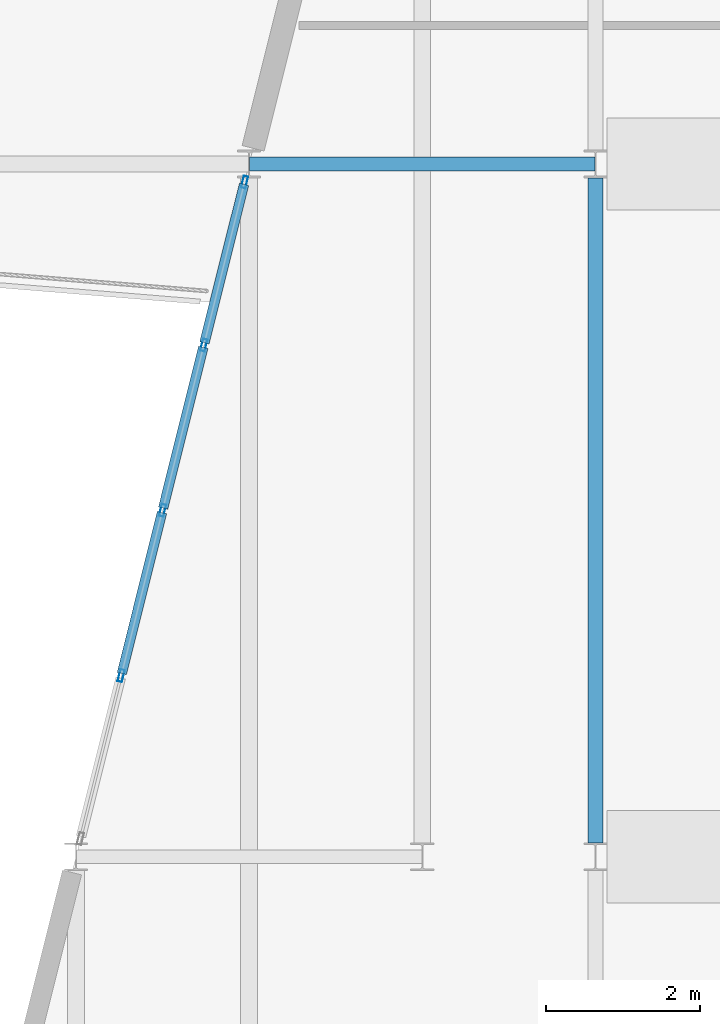
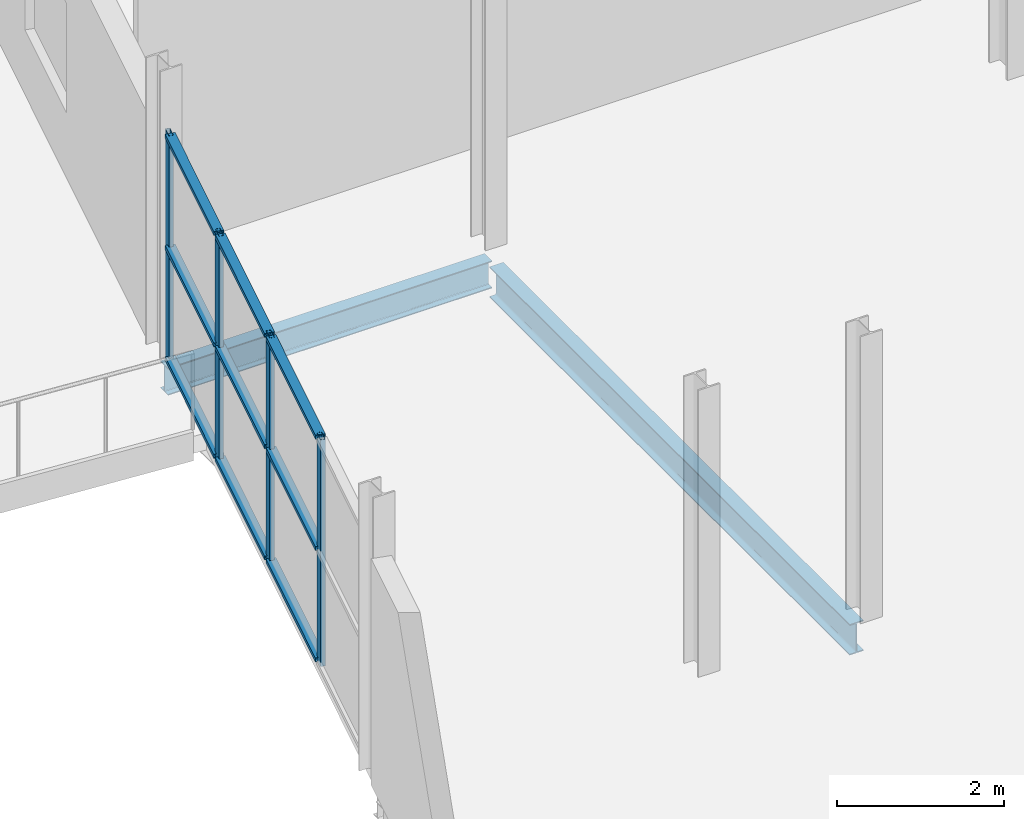
# One storey, part 90 of 135: 13 members, 2 beams, 1 element without a shape of its own.
"""IFC4 building model written with IfcOpenShell, lengths in metres."""

import ifcopenshell
import ifcopenshell.guid

model = None  # the IFC model being written
_history = None  # IfcOwnerHistory: only IFC2X3 demands one
_inside = {}  # id of a spatial element -> (the spatial element, [elements in it])
_under = {}  # id of a project, library or spatial element -> (it, [spatial elements below it])
_declared = {}  # id of a project -> (the project, [libraries it declares])
_typed = {}  # id of a type object -> (the type object, [elements of that type])
_made_of = {}  # id of a material, layer set ... -> (it, [elements and type objects made of it])


def new_model(schema):
    """Start an empty IFC model of exactly this schema.

    Asked for "IFC4X3", IfcOpenShell would pick the latest addendum, in which some entities
    have other attributes; the version numbers below select the first issue.
    IFC2X3 requires an IfcOwnerHistory on every rooted entity: one is made here for all.
    """
    global model, _history
    if schema == "IFC4X3":
        model = ifcopenshell.file(schema_version=(4, 3, 0, 0))
    else:
        model = ifcopenshell.file(schema=schema)
    _inside.clear()
    _under.clear()
    _declared.clear()
    _typed.clear()
    _made_of.clear()
    _history = None
    if model.schema == "IFC2X3":
        org = make("IfcOrganization", Name="unknown")
        user = make(
            "IfcPersonAndOrganization",
            ThePerson=make("IfcPerson", FamilyName="unknown"),
            TheOrganization=org,
        )
        app = make(
            "IfcApplication",
            ApplicationDeveloper=org,
            Version="unknown",
            ApplicationFullName="unknown",
            ApplicationIdentifier="unknown",
        )
        _history = make(
            "IfcOwnerHistory",
            OwningUser=user,
            OwningApplication=app,
            ChangeAction="ADDED",
            CreationDate=0,
        )
    return model


def make(cls, **values):
    """One entity of the class cls with the attributes given. An attribute that is None is left unset."""
    return model.create_entity(
        cls, **{name: value for name, value in values.items() if value is not None}
    )


def rooted(cls, **values):
    """An entity with a GlobalId (a new one), such as an element, a storey or a relation."""
    return make(cls, GlobalId=ifcopenshell.guid.new(), OwnerHistory=_history, **values)


def si_unit(unit_type, name, prefix=None):
    """IfcSIUnit, for example si_unit("LENGTHUNIT", "METRE", prefix="MILLI")."""
    return make("IfcSIUnit", UnitType=unit_type, Prefix=prefix, Name=name)


def assignment(units):
    """IfcUnitAssignment: the units of a project."""
    return None if units is None else make("IfcUnitAssignment", Units=units)


def point(xyz):
    """IfcCartesianPoint."""
    return None if xyz is None else make("IfcCartesianPoint", Coordinates=xyz)


def direction(xyz):
    """IfcDirection."""
    return None if xyz is None else make("IfcDirection", DirectionRatios=xyz)


def frame(location, z_axis=None, x_axis=None):
    """IfcAxis2Placement3D, a coordinate frame: its origin and axes. An axis left out is left unset."""
    return make(
        "IfcAxis2Placement3D",
        Location=point(location),
        Axis=direction(z_axis),
        RefDirection=direction(x_axis),
    )


def frame_2d(location, x_axis=None):
    """IfcAxis2Placement2D, a coordinate frame in the plane: its origin and x axis."""
    return make(
        "IfcAxis2Placement2D", Location=point(location), RefDirection=direction(x_axis)
    )


def origin():
    """The frame at (0, 0, 0) with its axes left unset."""
    return frame((0.0, 0.0, 0.0))


def origin_2d():
    """The frame at (0, 0) in the plane with its x axis left unset."""
    return frame_2d((0.0, 0.0))


def place(relative_to, where):
    """IfcLocalPlacement: puts the frame where relative to a parent placement (None: the world)."""
    return make(
        "IfcLocalPlacement", PlacementRelTo=relative_to, RelativePlacement=where
    )


def context(
    kind, dimensions, precision=None, world=None, true_north=None, identifier=None
):
    """IfcGeometricRepresentationContext, for example the 3D "Model" context."""
    return make(
        "IfcGeometricRepresentationContext",
        ContextIdentifier=identifier,
        ContextType=kind,
        CoordinateSpaceDimension=dimensions,
        Precision=precision,
        WorldCoordinateSystem=world,
        TrueNorth=true_north,
    )


def subcontext(parent, identifier, kind, view, scale=None):
    """IfcGeometricRepresentationSubContext, for example "Body" below "Model"."""
    return make(
        "IfcGeometricRepresentationSubContext",
        ContextIdentifier=identifier,
        ContextType=kind,
        ParentContext=parent,
        TargetScale=scale,
        TargetView=view,
    )


def project(units=None, contexts=None):
    """IfcProject with its units and contexts."""
    return rooted(
        "IfcProject",
        Name="project",
        RepresentationContexts=contexts,
        UnitsInContext=assignment(units),
    )


def spatial(cls, under=None, at=None, **own):
    """A site, building, storey or space (cls), placed at a placement, below another one or the project."""
    s = rooted(cls, ObjectPlacement=at, **own)
    if under is not None:
        _under.setdefault(under.id(), (under, []))[1].append(s)
    return s


def profile(cls, at=None, kind="AREA", **sizes):
    """A parametric profile (cls). Its sizes go by their IFC names, for example OverallWidth=200.0."""
    return make(cls, ProfileType=kind, Position=at, **sizes)


def hollow_rectangle(**sizes):
    """IfcRectangleHollowProfileDef."""
    return profile("IfcRectangleHollowProfileDef", **sizes)


def i_section(**sizes):
    """IfcIShapeProfileDef."""
    return profile("IfcIShapeProfileDef", **sizes)


def extrude(swept, where, along, depth):
    """IfcExtrudedAreaSolid: the profile swept, set in the frame where, extruded along a direction by depth."""
    return make(
        "IfcExtrudedAreaSolid",
        SweptArea=swept,
        Position=where,
        ExtrudedDirection=direction(along),
        Depth=depth,
    )


def shape(context_of_items, identifier, shape_type, items):
    """IfcShapeRepresentation: the items that make up one representation, for example the "Body"."""
    return make(
        "IfcShapeRepresentation",
        ContextOfItems=context_of_items,
        RepresentationIdentifier=identifier,
        RepresentationType=shape_type,
        Items=items,
    )


def material(Name=None, Category=None):
    """IfcMaterial."""
    return make("IfcMaterial", Name=Name, Category=Category)


def layer(
    of_material, thickness, ventilated=None, Name=None, Category=None, Priority=None
):
    """IfcMaterialLayer: one layer of a wall or slab, of a material (None: an air gap)."""
    return make(
        "IfcMaterialLayer",
        Material=of_material,
        LayerThickness=thickness,
        IsVentilated=ventilated,
        Name=Name,
        Category=Category,
        Priority=Priority,
    )


def layer_set(layers, Name=None):
    """IfcMaterialLayerSet."""
    return make("IfcMaterialLayerSet", MaterialLayers=layers, LayerSetName=Name)


def material_profile(
    of_material, cross_section, Name=None, Category=None, Priority=None
):
    """IfcMaterialProfile: a cross section and its material."""
    return make(
        "IfcMaterialProfile",
        Name=Name,
        Material=of_material,
        Profile=cross_section,
        Priority=Priority,
        Category=Category,
    )


def profile_set(profiles, Name=None, composite=None):
    """IfcMaterialProfileSet."""
    return make(
        "IfcMaterialProfileSet",
        Name=Name,
        MaterialProfiles=profiles,
        CompositeProfile=composite,
    )


def made_of(thing, what):
    """Note that an element or type object is made of a material, layer set ...; save() writes the relation."""
    if what is not None:
        _made_of.setdefault(what.id(), (what, []))[1].append(thing)
    return thing


def type_object(cls, material=None, **own):
    """A type object (cls), such as IfcWallType, which elements share."""
    return made_of(rooted(cls, **own), material)


def element(
    cls,
    number,
    at=None,
    inside=None,
    cuts=None,
    type_object=None,
    material=None,
    context=None,
    identifier="Body",
    shape_type=None,
    held_by="IfcProductDefinitionShape",
    body=None,
    shapes=None,
    **own,
):
    """One element of the class cls, such as IfcWall. Its Tag is "e" and its number.

    at: its placement. inside: the storey or other place that contains it. cuts: it is an
    opening in that element (IfcRelVoidsElement). A single representation is given by context,
    identifier, shape_type and body (its items); several are given by shapes. held_by: the class
    of the entity that holds the representations. save() writes the other relations.
    """
    e = rooted(cls, Tag="e%d" % number, ObjectPlacement=at, **own)
    if body is not None:
        shapes = [shape(context, identifier, shape_type, body)]
    if shapes is not None:
        e.Representation = make(held_by, Representations=shapes)
    if inside is not None:
        _inside.setdefault(inside.id(), (inside, []))[1].append(e)
    if cuts is not None:
        rooted(
            "IfcRelVoidsElement", RelatingBuildingElement=cuts, RelatedOpeningElement=e
        )
    if type_object is not None:
        _typed.setdefault(type_object.id(), (type_object, []))[1].append(e)
    return made_of(e, material)


def aggregate(whole, parts):
    """IfcRelAggregates: a whole, such as a stair, and the parts it consists of."""
    return rooted("IfcRelAggregates", RelatingObject=whole, RelatedObjects=parts)


def save(model, path):
    """Write the relations noted so far, then the file.

    IfcRelAggregates (storeys below a building ...), IfcRelContainedInSpatialStructure (elements
    in a storey), IfcRelDefinesByType, IfcRelAssociatesMaterial and IfcRelDeclares: one each for
    every whole, place, type object, material and project.
    """
    for whole, parts in _under.values():
        aggregate(whole, parts)
    for where, things in _inside.values():
        rooted(
            "IfcRelContainedInSpatialStructure",
            RelatedElements=things,
            RelatingStructure=where,
        )
    for kind, things in _typed.values():
        rooted("IfcRelDefinesByType", RelatedObjects=things, RelatingType=kind)
    for what, things in _made_of.values():
        rooted("IfcRelAssociatesMaterial", RelatedObjects=things, RelatingMaterial=what)
    for by, libraries in _declared.values():
        rooted("IfcRelDeclares", RelatingContext=by, RelatedDefinitions=libraries)
    model.write(path)


model = new_model("IFC4")

# Units and contexts
model_context = context("Model", 3, precision=1e-05, world=origin(), true_north=direction((0.0, 1.0)))
body_context = subcontext(model_context, "Body", "Model", "MODEL_VIEW")
ifc_project = project(units=[si_unit("LENGTHUNIT", "METRE"), si_unit("AREAUNIT", "SQUARE_METRE"), si_unit("VOLUMEUNIT", "CUBIC_METRE"), si_unit("PLANEANGLEUNIT", "RADIAN"), si_unit("MASSUNIT", "GRAM", prefix="KILO")], contexts=[model_context])

# Site, building, storey
site_placement = place(None, origin())
site = spatial("IfcSite", under=ifc_project, at=site_placement, CompositionType="ELEMENT")
building_placement = place(site_placement, origin())
building = spatial("IfcBuilding", under=site, at=building_placement, Name="Deido Ridge Mobility Hub", CompositionType="ELEMENT")
storey_placement = place(building_placement, frame((0.0, 0.0, 4.199951171875)))
storey = spatial("IfcBuildingStorey", under=building, at=storey_placement, Name="L01", CompositionType="ELEMENT", Elevation=4.199951171875)

# Beams
ifc_material_1 = material(Name="Steel S355J2 EN 10025-2", Category="steel")
ifc_material_profile_1 = material_profile(ifc_material_1, i_section(OverallWidth=0.179931640625, OverallDepth=0.39990234375, WebThickness=0.008544921875, FlangeThickness=0.013427734375, FilletRadius=0.02099609375, at=origin_2d()), Name="IPE 400")
ifc_profile_set_1 = profile_set([ifc_material_profile_1], Name="Steel S355J2 EN 10025-2")
beam_type_1 = type_object("IfcBeamType", Name="BM-IPE400", PredefinedType="BEAM", material=ifc_profile_set_1)
beam_1_placement = place(storey_placement, frame((130.506103515625, 54.0, -0.449951171875), z_axis=(1.0, 0.0, 0.0), x_axis=(0.0, 1.0, 0.0)))
element("IfcBeam", 1, at=beam_1_placement, inside=storey, type_object=beam_type_1, Name="Floor beam B5", PredefinedType="BEAM", context=body_context, shape_type="SweptSolid", body=[
    extrude(i_section(OverallWidth=0.179931640625, OverallDepth=0.39990234375, WebThickness=0.008544921875, FlangeThickness=0.013427734375, FilletRadius=0.02099609375, at=origin_2d()), origin(), (0.0, 0.0, 1.0), 4.48779296875),
])
ifc_material_profile_2 = material_profile(ifc_material_1, i_section(OverallWidth=0.18994140625, OverallDepth=0.449951171875, WebThickness=0.009521484375, FlangeThickness=0.0146484375, FilletRadius=0.02099609375, at=origin_2d()), Name="IPE 450")
ifc_profile_set_2 = profile_set([ifc_material_profile_2], Name="Steel S355J2 EN 10025-2")
beam_type_2 = type_object("IfcBeamType", Name="BM-IPE450", PredefinedType="BEAM", material=ifc_profile_set_2)
beam_2_placement = place(storey_placement, frame((135.0, 45.179931640625, -0.474853515625), z_axis=(0.0, 1.0, 0.0), x_axis=(-1.0, 0.0, 0.0)))
element("IfcBeam", 2, at=beam_2_placement, inside=storey, type_object=beam_type_2, Name="Floor beam B4", PredefinedType="BEAM", context=body_context, shape_type="SweptSolid", body=[
    extrude(i_section(OverallWidth=0.18994140625, OverallDepth=0.449951171875, WebThickness=0.009521484375, FlangeThickness=0.0146484375, FilletRadius=0.02099609375, at=origin_2d()), origin(), (0.0, 0.0, 1.0), 8.64013671875),
])

# Curtain wall, members
ifc_material_2 = material(Name="Anodised aluminium EN AW-6063 T6", Category="aluminium")
ifc_layer = layer(ifc_material_2, 0.2099609375, Name="Anodised aluminium EN AW-6063 T6")
ifc_layer_set = layer_set([ifc_layer], Name="Anodised aluminium EN AW-6063 T6")
curtain_wall_type = type_object("IfcCurtainWallType", Name="CW-UF-4", PredefinedType="USERDEFINED", material=ifc_layer_set)
curtain_wall_placement = place(storey_placement, origin())
curtain_wall = element("IfcCurtainWall", 3, at=curtain_wall_placement, inside=storey, type_object=curtain_wall_type, Name="Unitised curtain wall CW4", ObjectType="UNITISED FACADE", PredefinedType="USERDEFINED")
ifc_material_profile_3 = material_profile(ifc_material_2, hollow_rectangle(XDim=0.06005859375, YDim=0.159912109375, WallThickness=0.00390625, at=origin_2d()), Name="RHS 60x160x4")
ifc_profile_set_3 = profile_set([ifc_material_profile_3], Name="Anodised aluminium EN AW-6063 T6")
member_type_1 = type_object("IfcMemberType", Name="MEM-MUL-60X160", PredefinedType="MULLION", material=ifc_profile_set_3)
member_1_placement = place(storey_placement, frame((128.838134765625, 47.352294921875, 0.0), z_axis=(0.0, 0.0, 1.0), x_axis=(-0.970143828731, 0.242530310632, 0.0)))
member_1 = element("IfcMember", 4, at=member_1_placement, type_object=member_type_1, Name="CW4 mullion 2", PredefinedType="MULLION", context=body_context, shape_type="SweptSolid", body=[
    extrude(hollow_rectangle(XDim=0.06005859375, YDim=0.159912109375, WallThickness=0.00390625, at=origin_2d()), origin(), (0.0, 0.0, 1.0), 3.320068359375),
])
member_2_placement = place(storey_placement, frame((129.375, 49.5, 0.0), z_axis=(0.0, 0.0, 1.0), x_axis=(-0.970143828731, 0.242530310632, 0.0)))
member_2 = element("IfcMember", 5, at=member_2_placement, type_object=member_type_1, Name="CW4 mullion 3", PredefinedType="MULLION", context=body_context, shape_type="SweptSolid", body=[
    extrude(hollow_rectangle(XDim=0.06005859375, YDim=0.159912109375, WallThickness=0.00390625, at=origin_2d()), origin(), (0.0, 0.0, 1.0), 3.320068359375),
])
member_3_placement = place(storey_placement, frame((129.911865234375, 51.647705078125, 0.0), z_axis=(0.0, 0.0, 1.0), x_axis=(-0.970143828731, 0.242530310632, 0.0)))
member_3 = element("IfcMember", 6, at=member_3_placement, type_object=member_type_1, Name="CW4 mullion 4", PredefinedType="MULLION", context=body_context, shape_type="SweptSolid", body=[
    extrude(hollow_rectangle(XDim=0.06005859375, YDim=0.159912109375, WallThickness=0.00390625, at=origin_2d()), origin(), (0.0, 0.0, 1.0), 3.320068359375),
])
member_4_placement = place(storey_placement, frame((130.44140625, 53.76611328125, 0.0), z_axis=(0.0, 0.0, 1.0), x_axis=(-0.970143828731, 0.242530310632, 0.0)))
member_4 = element("IfcMember", 7, at=member_4_placement, type_object=member_type_1, Name="CW4 mullion 5", PredefinedType="MULLION", context=body_context, shape_type="SweptSolid", body=[
    extrude(hollow_rectangle(XDim=0.06005859375, YDim=0.159912109375, WallThickness=0.00390625, at=origin_2d()), origin(), (0.0, 0.0, 1.0), 3.320068359375),
])
ifc_material_profile_4 = material_profile(ifc_material_2, hollow_rectangle(XDim=0.125, YDim=0.06005859375, WallThickness=0.00390625, at=origin_2d()), Name="RHS 125x60x4")
ifc_profile_set_4 = profile_set([ifc_material_profile_4], Name="Anodised aluminium EN AW-6063 T6")
member_type_2 = type_object("IfcMemberType", Name="MEM-TRN-125X60", PredefinedType="USERDEFINED", material=ifc_profile_set_4)
member_5_placement = place(storey_placement, frame((128.845458984375, 47.38134765625, 0.030029296875), z_axis=(0.242455612459, 0.970162499784, 0.0), x_axis=(-0.970162499784, 0.242455612459, 0.0)))
member_5 = element("IfcMember", 8, at=member_5_placement, type_object=member_type_2, Name="CW4 transom 2.1", ObjectType="TRANSOM", PredefinedType="USERDEFINED", context=body_context, shape_type="SweptSolid", body=[
    extrude(hollow_rectangle(XDim=0.125, YDim=0.06005859375, WallThickness=0.00390625, at=origin_2d()), origin(), (0.0, 0.0, 1.0), 2.15380859375),
])
member_6_placement = place(storey_placement, frame((128.845458984375, 47.38134765625, 1.66015625), z_axis=(0.242455612459, 0.970162499784, 0.0), x_axis=(-0.970162499784, 0.242455612459, 0.0)))
member_6 = element("IfcMember", 9, at=member_6_placement, type_object=member_type_2, Name="CW4 transom 2.2", ObjectType="TRANSOM", PredefinedType="USERDEFINED", context=body_context, shape_type="SweptSolid", body=[
    extrude(hollow_rectangle(XDim=0.125, YDim=0.06005859375, WallThickness=0.00390625, at=origin_2d()), origin(), (0.0, 0.0, 1.0), 2.15380859375),
])
member_7_placement = place(storey_placement, frame((128.845458984375, 47.38134765625, 3.2900390625), z_axis=(0.242455612459, 0.970162499784, 0.0), x_axis=(-0.970162499784, 0.242455612459, 0.0)))
member_7 = element("IfcMember", 10, at=member_7_placement, type_object=member_type_2, Name="CW4 transom 2.3", ObjectType="TRANSOM", PredefinedType="USERDEFINED", context=body_context, shape_type="SweptSolid", body=[
    extrude(hollow_rectangle(XDim=0.125, YDim=0.06005859375, WallThickness=0.00390625, at=origin_2d()), origin(), (0.0, 0.0, 1.0), 2.15380859375),
])
member_8_placement = place(storey_placement, frame((129.38232421875, 49.529052734375, 0.030029296875), z_axis=(0.242455612459, 0.970162499784, 0.0), x_axis=(-0.970162499784, 0.242455612459, 0.0)))
member_8 = element("IfcMember", 11, at=member_8_placement, type_object=member_type_2, Name="CW4 transom 3.1", ObjectType="TRANSOM", PredefinedType="USERDEFINED", context=body_context, shape_type="SweptSolid", body=[
    extrude(hollow_rectangle(XDim=0.125, YDim=0.06005859375, WallThickness=0.00390625, at=origin_2d()), origin(), (0.0, 0.0, 1.0), 2.15380859375),
])
member_9_placement = place(storey_placement, frame((129.38232421875, 49.529052734375, 1.66015625), z_axis=(0.242455612459, 0.970162499784, 0.0), x_axis=(-0.970162499784, 0.242455612459, 0.0)))
member_9 = element("IfcMember", 12, at=member_9_placement, type_object=member_type_2, Name="CW4 transom 3.2", ObjectType="TRANSOM", PredefinedType="USERDEFINED", context=body_context, shape_type="SweptSolid", body=[
    extrude(hollow_rectangle(XDim=0.125, YDim=0.06005859375, WallThickness=0.00390625, at=origin_2d()), origin(), (0.0, 0.0, 1.0), 2.15380859375),
])
member_10_placement = place(storey_placement, frame((129.38232421875, 49.529052734375, 3.2900390625), z_axis=(0.242455612459, 0.970162499784, 0.0), x_axis=(-0.970162499784, 0.242455612459, 0.0)))
member_10 = element("IfcMember", 13, at=member_10_placement, type_object=member_type_2, Name="CW4 transom 3.3", ObjectType="TRANSOM", PredefinedType="USERDEFINED", context=body_context, shape_type="SweptSolid", body=[
    extrude(hollow_rectangle(XDim=0.125, YDim=0.06005859375, WallThickness=0.00390625, at=origin_2d()), origin(), (0.0, 0.0, 1.0), 2.15380859375),
])
member_11_placement = place(storey_placement, frame((129.919189453125, 51.6767578125, 0.030029296875), z_axis=(0.242562674028, 0.970135737497, 0.0), x_axis=(-0.970135737497, 0.242562674028, 0.0)))
member_11 = element("IfcMember", 14, at=member_11_placement, type_object=member_type_2, Name="CW4 transom 4.1", ObjectType="TRANSOM", PredefinedType="USERDEFINED", context=body_context, shape_type="SweptSolid", body=[
    extrude(hollow_rectangle(XDim=0.125, YDim=0.06005859375, WallThickness=0.00390625, at=origin_2d()), origin(), (0.0, 0.0, 1.0), 2.123779296875),
])
member_12_placement = place(storey_placement, frame((129.919189453125, 51.6767578125, 1.66015625), z_axis=(0.242562674028, 0.970135737497, 0.0), x_axis=(-0.970135737497, 0.242562674028, 0.0)))
member_12 = element("IfcMember", 15, at=member_12_placement, type_object=member_type_2, Name="CW4 transom 4.2", ObjectType="TRANSOM", PredefinedType="USERDEFINED", context=body_context, shape_type="SweptSolid", body=[
    extrude(hollow_rectangle(XDim=0.125, YDim=0.06005859375, WallThickness=0.00390625, at=origin_2d()), origin(), (0.0, 0.0, 1.0), 2.123779296875),
])
member_13_placement = place(storey_placement, frame((129.919189453125, 51.6767578125, 3.2900390625), z_axis=(0.242562674028, 0.970135737497, 0.0), x_axis=(-0.970135737497, 0.242562674028, 0.0)))
member_13 = element("IfcMember", 16, at=member_13_placement, type_object=member_type_2, Name="CW4 transom 4.3", ObjectType="TRANSOM", PredefinedType="USERDEFINED", context=body_context, shape_type="SweptSolid", body=[
    extrude(hollow_rectangle(XDim=0.125, YDim=0.06005859375, WallThickness=0.00390625, at=origin_2d()), origin(), (0.0, 0.0, 1.0), 2.123779296875),
])
aggregate(curtain_wall, [member_1, member_2, member_3, member_4, member_5, member_6, member_7, member_8, member_9, member_10, member_11, member_12, member_13])

save(model, "model.ifc")
